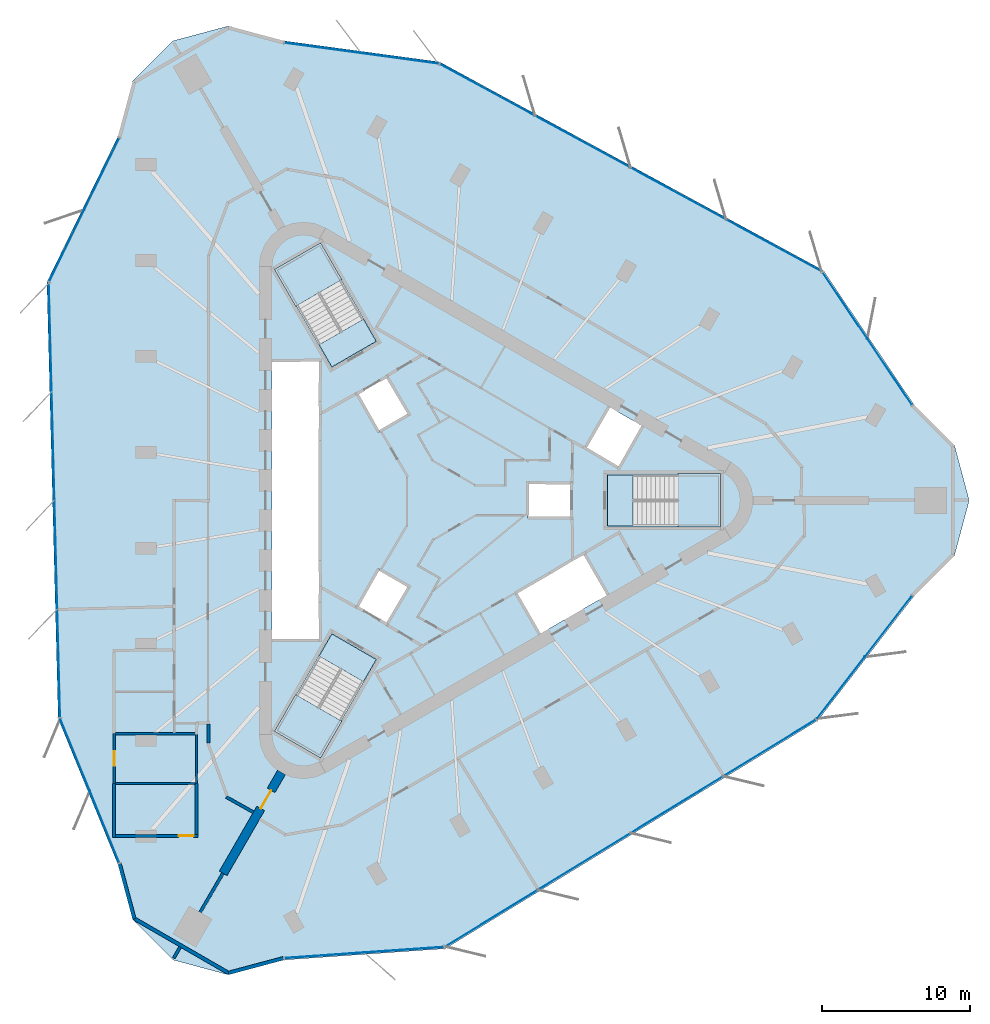
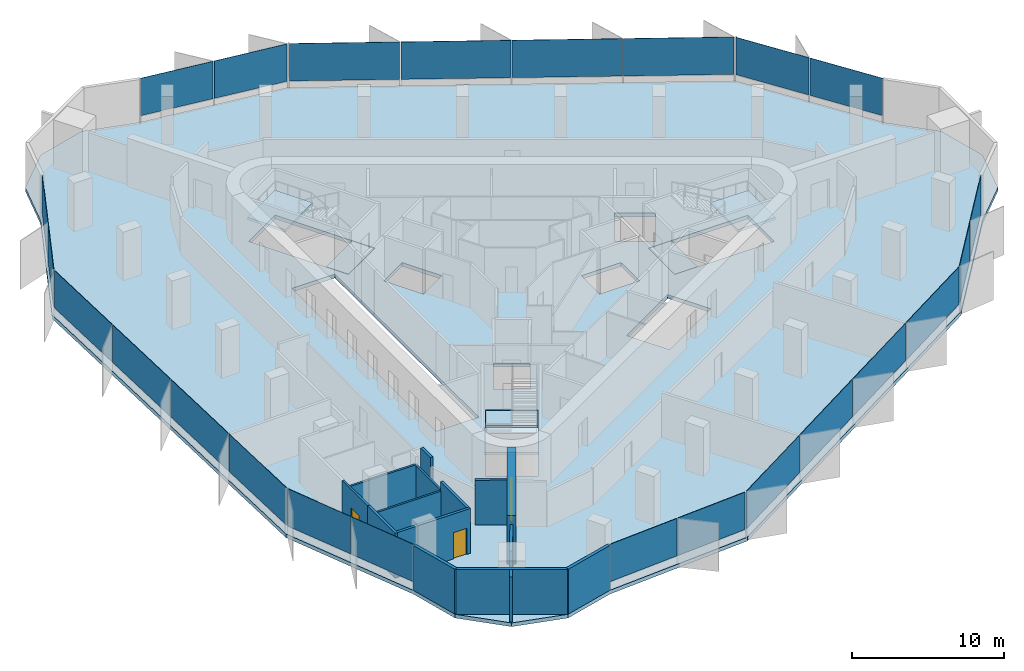
# One storey, part 6 of 12: 24 plates, 15 walls, 7 slabs, 3 doors, 3 openings, 12 elements without a shape of their own.
"""IFC4 building model written with IfcOpenShell, lengths in metres."""

from ifc_helpers import new_model, si_unit, direction, frame, frame_2d, origin, origin_2d, place, context, subcontext, project, spatial, polyline, rectangle, outline, extrude, material, layer, layer_set, type_object, element, fill, aggregate, save


model = new_model("IFC4")

# Units and contexts
model_context = context("Model", 3, precision=1e-05, world=origin(), true_north=direction((0.0, 1.0)))
body_context = subcontext(model_context, "Body", "Model", "MODEL_VIEW")
ifc_project = project(units=[si_unit("LENGTHUNIT", "METRE"), si_unit("AREAUNIT", "SQUARE_METRE"), si_unit("VOLUMEUNIT", "CUBIC_METRE"), si_unit("PLANEANGLEUNIT", "RADIAN"), si_unit("MASSUNIT", "GRAM", prefix="KILO")], contexts=[model_context])

# Site, building, storey
site_placement = place(None, origin())
site = spatial("IfcSite", under=ifc_project, at=site_placement, CompositionType="ELEMENT")
building_placement = place(site_placement, origin())
building = spatial("IfcBuilding", under=site, at=building_placement, Name="Tanit Gate Tower", CompositionType="ELEMENT")
storey_placement = place(building_placement, frame((0.0, 0.0, 349.39990234375)))
storey = spatial("IfcBuildingStorey", under=building, at=storey_placement, Name="L79", CompositionType="ELEMENT", Elevation=349.39990234375)

# Slab
ifc_material_1 = material(Name="Concrete C35/45", Category="concrete")
ifc_layer_1 = layer(ifc_material_1, 0.300048828125)
ifc_layer_set_1 = layer_set([ifc_layer_1], Name="FLOOR SLAB 300 C35/45")
slab_type_1 = type_object("IfcSlabType", Name="FLOOR SLAB 300 C35/45", PredefinedType="FLOOR", material=ifc_layer_set_1)
slab_1_placement = place(storey_placement, frame((0.0, 0.0, -0.2998046875)))
element("IfcSlab", 1, at=slab_1_placement, inside=storey, type_object=slab_type_1, Name="FLOOR SLAB L79", PredefinedType="FLOOR", context=body_context, shape_type="SweptSolid", body=[
    extrude(outline(polyline([(32.01708984375, 6.447021484375), (34.741943359375, 3.72216796875), (35.7392578125, 0.0), (34.741943359375, -3.72216796875), (32.01708984375, -6.447021484375), (25.5380859375, -14.828125), (0.45361328125, -30.19091796875), (-10.42529296875, -30.951171875), (-14.1474609375, -31.948486328125), (-17.86962890625, -30.951171875), (-20.594482421875, -28.226318359375), (-21.591796875, -24.50439453125), (-25.610595703125, -14.70263671875), (-26.373046875, 14.70263671875), (-21.591796875, 24.50439453125), (-20.594482421875, 28.226318359375), (-17.86962890625, 30.951171875), (-14.1474609375, 31.948486328125), (-10.42529296875, 30.951171875), (0.072509765625, 29.530517578125), (25.919189453125, 15.48828125), (32.01708984375, 6.447021484375)]), holes=[polyline([(11.3701171875, 1.72998046875), (18.929931640625, 1.72998046875), (18.929931640625, -1.72998046875), (11.3701171875, -1.72998046875), (11.3701171875, 1.72998046875)]), polyline([(12.158935546875, 2.159912109375), (9.82080078125, 3.510009765625), (11.44580078125, 6.324462890625), (13.783935546875, 4.974609375), (12.158935546875, 2.159912109375)]), polyline([(11.44580078125, -6.324462890625), (6.76904296875, -9.0244140625), (5.14404296875, -6.2099609375), (9.82080078125, -3.510009765625), (11.44580078125, -6.324462890625)]), polyline([(6.0, 1.199951171875), (9.0, 1.199951171875), (9.0, -1.199951171875), (6.0, -1.199951171875), (6.0, 1.199951171875)]), polyline([(-4.039306640625, 4.59619140625), (-5.539306640625, 7.194091796875), (-3.460693359375, 8.394287109375), (-1.960693359375, 5.796142578125), (-4.039306640625, 4.59619140625)]), polyline([(-1.960693359375, -5.796142578125), (-3.460693359375, -8.394287109375), (-5.539306640625, -7.194091796875), (-4.039306640625, -4.59619140625), (-1.960693359375, -5.796142578125)]), polyline([(-7.18310546875, 8.981689453125), (-10.963134765625, 15.52880859375), (-7.966796875, 17.2587890625), (-4.186767578125, 10.711669921875), (-7.18310546875, 8.981689453125)]), polyline([(-4.186767578125, -10.711669921875), (-7.966796875, -17.2587890625), (-10.963134765625, -15.52880859375), (-7.18310546875, -8.981689453125), (-4.186767578125, -10.711669921875)]), polyline([(-11.199951171875, -9.449951171875), (-11.199951171875, 9.449951171875), (-7.949951171875, 9.449951171875), (-7.949951171875, -9.449951171875), (-11.199951171875, -9.449951171875)])]), origin(), (0.0, 0.0, 1.0), 0.2998046875),
])

# Curtain wall, plates
ifc_material_2 = material(Name="Aluminium bronze anodised and glass", Category="aluminium")
curtain_wall_type = type_object("IfcCurtainWallType", Name="Curtain wall typical high", PredefinedType="NOTDEFINED", material=ifc_material_2)
curtain_wall_1_placement = place(storey_placement, origin())
curtain_wall_1 = element("IfcCurtainWall", 2, at=curtain_wall_1_placement, inside=storey, type_object=curtain_wall_type, Name="Curtain wall L79 NE1", PredefinedType="NOTDEFINED")
ifc_material_3 = material(Name="Glass tinted", Category="glass")
ifc_layer_2 = layer(ifc_material_3, 0.028076171875)
ifc_layer_set_2 = layer_set([ifc_layer_2], Name="Glass panel 28 typical high")
plate_type = type_object("IfcPlateType", Name="Glass panel 28 typical high", PredefinedType="CURTAIN_PANEL", material=ifc_layer_set_2)
plate_1_placement = place(storey_placement, frame((30.39111328125, 8.6435546875, 0.60009765625), z_axis=(0.0, 0.0, 1.0), x_axis=(-0.559147523084, 0.829068180206, 0.0)))
plate_1 = element("IfcPlate", 3, at=plate_1_placement, type_object=plate_type, Name="Glass panel L79 NE1.1", PredefinedType="CURTAIN_PANEL", context=body_context, shape_type="SweptSolid", body=[
    extrude(rectangle(XDim=5.323974609375, YDim=0.028076171875, at=origin_2d()), origin(), (0.0, 0.0, 1.0), 3.0),
])
plate_2_placement = place(storey_placement, frame((27.369384765625, 13.123779296875, 0.60009765625), z_axis=(0.0, 0.0, 1.0), x_axis=(-0.559147523084, 0.829068180206, 0.0)))
plate_2 = element("IfcPlate", 4, at=plate_2_placement, type_object=plate_type, Name="Glass panel L79 NE1.2", PredefinedType="CURTAIN_PANEL", context=body_context, shape_type="SweptSolid", body=[
    extrude(rectangle(XDim=5.323974609375, YDim=0.028076171875, at=origin_2d()), origin(), (0.0, 0.0, 1.0), 3.0),
])
aggregate(curtain_wall_1, [plate_1, plate_2])

curtain_wall_2_placement = place(storey_placement, origin())
curtain_wall_2 = element("IfcCurtainWall", 5, at=curtain_wall_2_placement, inside=storey, type_object=curtain_wall_type, Name="Curtain wall L79 NE2", PredefinedType="NOTDEFINED")
plate_3_placement = place(storey_placement, frame((22.584716796875, 17.16357421875, 0.60009765625), z_axis=(0.0, 0.0, 1.0), x_axis=(-0.87869633876, 0.477381131015, 0.0)))
plate_3 = element("IfcPlate", 6, at=plate_3_placement, type_object=plate_type, Name="Glass panel L79 NE2.1", PredefinedType="CURTAIN_PANEL", context=body_context, shape_type="SweptSolid", body=[
    extrude(rectangle(XDim=7.240966796875, YDim=0.028076171875, at=origin_2d()), origin(), (0.0, 0.0, 1.0), 3.0),
])
plate_4_placement = place(storey_placement, frame((16.15185546875, 20.658447265625, 0.60009765625), z_axis=(0.0, 0.0, 1.0), x_axis=(-0.87869633876, 0.477381131015, 0.0)))
plate_4 = element("IfcPlate", 7, at=plate_4_placement, type_object=plate_type, Name="Glass panel L79 NE2.2", PredefinedType="CURTAIN_PANEL", context=body_context, shape_type="SweptSolid", body=[
    extrude(rectangle(XDim=7.240966796875, YDim=0.028076171875, at=origin_2d()), origin(), (0.0, 0.0, 1.0), 3.0),
])
plate_5_placement = place(storey_placement, frame((9.718994140625, 24.1533203125, 0.60009765625), z_axis=(0.0, 0.0, 1.0), x_axis=(-0.87869633876, 0.477381131015, 0.0)))
plate_5 = element("IfcPlate", 8, at=plate_5_placement, type_object=plate_type, Name="Glass panel L79 NE2.3", PredefinedType="CURTAIN_PANEL", context=body_context, shape_type="SweptSolid", body=[
    extrude(rectangle(XDim=7.240966796875, YDim=0.028076171875, at=origin_2d()), origin(), (0.0, 0.0, 1.0), 3.0),
])
plate_6_placement = place(storey_placement, frame((3.2861328125, 27.648193359375, 0.60009765625), z_axis=(0.0, 0.0, 1.0), x_axis=(-0.87869633876, 0.477381131015, 0.0)))
plate_6 = element("IfcPlate", 9, at=plate_6_placement, type_object=plate_type, Name="Glass panel L79 NE2.4", PredefinedType="CURTAIN_PANEL", context=body_context, shape_type="SweptSolid", body=[
    extrude(rectangle(XDim=7.240966796875, YDim=0.028076171875, at=origin_2d()), origin(), (0.0, 0.0, 1.0), 3.0),
])
aggregate(curtain_wall_2, [plate_3, plate_4, plate_5, plate_6])

curtain_wall_3_placement = place(storey_placement, origin())
curtain_wall_3 = element("IfcCurtainWall", 10, at=curtain_wall_3_placement, inside=storey, type_object=curtain_wall_type, Name="Curtain wall L79 NE3", PredefinedType="NOTDEFINED")
plate_7_placement = place(storey_placement, frame((-2.606201171875, 29.77197265625, 0.60009765625), z_axis=(0.0, 0.0, 1.0), x_axis=(-0.990968554207, 0.134094461382, 0.0)))
plate_7 = element("IfcPlate", 11, at=plate_7_placement, type_object=plate_type, Name="Glass panel L79 NE3.1", PredefinedType="CURTAIN_PANEL", context=body_context, shape_type="SweptSolid", body=[
    extrude(rectangle(XDim=5.169677734375, YDim=0.028076171875, at=origin_2d()), origin(), (0.0, 0.0, 1.0), 3.0),
])
plate_8_placement = place(storey_placement, frame((-7.808349609375, 30.475830078125, 0.60009765625), z_axis=(0.0, 0.0, 1.0), x_axis=(-0.990968554207, 0.134094461382, 0.0)))
plate_8 = element("IfcPlate", 12, at=plate_8_placement, type_object=plate_type, Name="Glass panel L79 NE3.2", PredefinedType="CURTAIN_PANEL", context=body_context, shape_type="SweptSolid", body=[
    extrude(rectangle(XDim=5.169677734375, YDim=0.028076171875, at=origin_2d()), origin(), (0.0, 0.0, 1.0), 3.0),
])
aggregate(curtain_wall_3, [plate_7, plate_8])

curtain_wall_4_placement = place(storey_placement, origin())
curtain_wall_4 = element("IfcCurtainWall", 13, at=curtain_wall_4_placement, inside=storey, type_object=curtain_wall_type, Name="Curtain wall L79 W1", PredefinedType="NOTDEFINED")
plate_9_placement = place(storey_placement, frame((-22.680908203125, 21.99755859375, 0.60009765625), z_axis=(0.0, 0.0, 1.0), x_axis=(-0.438420343985, -0.898770049556, 0.0)))
plate_9 = element("IfcPlate", 14, at=plate_9_placement, type_object=plate_type, Name="Glass panel L79 W1.1", PredefinedType="CURTAIN_PANEL", context=body_context, shape_type="SweptSolid", body=[
    extrude(rectangle(XDim=5.323974609375, YDim=0.028076171875, at=origin_2d()), origin(), (0.0, 0.0, 1.0), 3.0),
])
plate_10_placement = place(storey_placement, frame((-25.05029296875, 17.140869140625, 0.60009765625), z_axis=(0.0, 0.0, 1.0), x_axis=(-0.438420343985, -0.898770049556, 0.0)))
plate_10 = element("IfcPlate", 15, at=plate_10_placement, type_object=plate_type, Name="Glass panel L79 W1.2", PredefinedType="CURTAIN_PANEL", context=body_context, shape_type="SweptSolid", body=[
    extrude(rectangle(XDim=5.323974609375, YDim=0.028076171875, at=origin_2d()), origin(), (0.0, 0.0, 1.0), 3.0),
])
aggregate(curtain_wall_4, [plate_9, plate_10])

curtain_wall_5_placement = place(storey_placement, origin())
curtain_wall_5 = element("IfcCurtainWall", 16, at=curtain_wall_5_placement, inside=storey, type_object=curtain_wall_type, Name="Curtain wall L79 W2", PredefinedType="NOTDEFINED")
plate_11_placement = place(storey_placement, frame((-26.156494140625, 10.97705078125, 0.60009765625), z_axis=(0.0, 0.0, 1.0), x_axis=(0.025923982634, -0.999663917086, 0.0)))
plate_11 = element("IfcPlate", 17, at=plate_11_placement, type_object=plate_type, Name="Glass panel L79 W2.1", PredefinedType="CURTAIN_PANEL", context=body_context, shape_type="SweptSolid", body=[
    extrude(rectangle(XDim=7.240966796875, YDim=0.028076171875, at=origin_2d()), origin(), (0.0, 0.0, 1.0), 3.0),
])
plate_12_placement = place(storey_placement, frame((-25.966552734375, 3.65869140625, 0.60009765625), z_axis=(0.0, 0.0, 1.0), x_axis=(0.025923982634, -0.999663917086, 0.0)))
plate_12 = element("IfcPlate", 18, at=plate_12_placement, type_object=plate_type, Name="Glass panel L79 W2.2", PredefinedType="CURTAIN_PANEL", context=body_context, shape_type="SweptSolid", body=[
    extrude(rectangle(XDim=7.240966796875, YDim=0.028076171875, at=origin_2d()), origin(), (0.0, 0.0, 1.0), 3.0),
])
plate_13_placement = place(storey_placement, frame((-25.77685546875, -3.65966796875, 0.60009765625), z_axis=(0.0, 0.0, 1.0), x_axis=(0.025923982634, -0.999663917086, 0.0)))
plate_13 = element("IfcPlate", 19, at=plate_13_placement, type_object=plate_type, Name="Glass panel L79 W2.3", PredefinedType="CURTAIN_PANEL", context=body_context, shape_type="SweptSolid", body=[
    extrude(rectangle(XDim=7.240966796875, YDim=0.028076171875, at=origin_2d()), origin(), (0.0, 0.0, 1.0), 3.0),
])
plate_14_placement = place(storey_placement, frame((-25.5869140625, -10.978271484375, 0.60009765625), z_axis=(0.0, 0.0, 1.0), x_axis=(0.025923982634, -0.999663917086, 0.0)))
plate_14 = element("IfcPlate", 20, at=plate_14_placement, type_object=plate_type, Name="Glass panel L79 W2.4", PredefinedType="CURTAIN_PANEL", context=body_context, shape_type="SweptSolid", body=[
    extrude(rectangle(XDim=7.240966796875, YDim=0.028076171875, at=origin_2d()), origin(), (0.0, 0.0, 1.0), 3.0),
])
aggregate(curtain_wall_5, [plate_11, plate_12, plate_13, plate_14])

curtain_wall_6_placement = place(storey_placement, origin())
curtain_wall_6 = element("IfcCurtainWall", 21, at=curtain_wall_6_placement, inside=storey, type_object=curtain_wall_type, Name="Curtain wall L79 W3", PredefinedType="NOTDEFINED")
plate_15_placement = place(storey_placement, frame((-24.480224609375, -17.14306640625, 0.60009765625), z_axis=(0.0, 0.0, 1.0), x_axis=(0.37935506704, -0.925251172986, 0.0)))
plate_15 = element("IfcPlate", 22, at=plate_15_placement, type_object=plate_type, Name="Glass panel L79 W3.1", PredefinedType="CURTAIN_PANEL", context=body_context, shape_type="SweptSolid", body=[
    extrude(rectangle(XDim=5.169677734375, YDim=0.028076171875, at=origin_2d()), origin(), (0.0, 0.0, 1.0), 3.0),
])
plate_16_placement = place(storey_placement, frame((-22.48876953125, -22.000244140625, 0.60009765625), z_axis=(0.0, 0.0, 1.0), x_axis=(0.37935506704, -0.925251172986, 0.0)))
plate_16 = element("IfcPlate", 23, at=plate_16_placement, type_object=plate_type, Name="Glass panel L79 W3.2", PredefinedType="CURTAIN_PANEL", context=body_context, shape_type="SweptSolid", body=[
    extrude(rectangle(XDim=5.169677734375, YDim=0.028076171875, at=origin_2d()), origin(), (0.0, 0.0, 1.0), 3.0),
])
aggregate(curtain_wall_6, [plate_15, plate_16])

curtain_wall_7_placement = place(storey_placement, origin())
curtain_wall_7 = element("IfcCurtainWall", 24, at=curtain_wall_7_placement, inside=storey, type_object=curtain_wall_type, Name="Curtain wall L79 SE1", PredefinedType="NOTDEFINED")
plate_17_placement = place(storey_placement, frame((-7.7099609375, -30.64111328125, 0.60009765625), z_axis=(0.0, 0.0, 1.0), x_axis=(0.997567867069, 0.069701869351, 0.0)))
plate_17 = element("IfcPlate", 25, at=plate_17_placement, type_object=plate_type, Name="Glass panel L79 SE1.1", PredefinedType="CURTAIN_PANEL", context=body_context, shape_type="SweptSolid", body=[
    extrude(rectangle(XDim=5.323974609375, YDim=0.028076171875, at=origin_2d()), origin(), (0.0, 0.0, 1.0), 3.0),
])
plate_18_placement = place(storey_placement, frame((-2.3193359375, -30.264404296875, 0.60009765625), z_axis=(0.0, 0.0, 1.0), x_axis=(0.997567867069, 0.069701869351, 0.0)))
plate_18 = element("IfcPlate", 26, at=plate_18_placement, type_object=plate_type, Name="Glass panel L79 SE1.2", PredefinedType="CURTAIN_PANEL", context=body_context, shape_type="SweptSolid", body=[
    extrude(rectangle(XDim=5.323974609375, YDim=0.028076171875, at=origin_2d()), origin(), (0.0, 0.0, 1.0), 3.0),
])
aggregate(curtain_wall_7, [plate_17, plate_18])

curtain_wall_8_placement = place(storey_placement, origin())
curtain_wall_8 = element("IfcCurtainWall", 27, at=curtain_wall_8_placement, inside=storey, type_object=curtain_wall_type, Name="Curtain wall L79 SE2", PredefinedType="NOTDEFINED")
plate_19_placement = place(storey_placement, frame((3.57177734375, -28.140625, 0.60009765625), z_axis=(0.0, 0.0, 1.0), x_axis=(0.852772356127, 0.522282786071, 0.0)))
plate_19 = element("IfcPlate", 28, at=plate_19_placement, type_object=plate_type, Name="Glass panel L79 SE2.1", PredefinedType="CURTAIN_PANEL", context=body_context, shape_type="SweptSolid", body=[
    extrude(rectangle(XDim=7.240966796875, YDim=0.028076171875, at=origin_2d()), origin(), (0.0, 0.0, 1.0), 3.0),
])
plate_20_placement = place(storey_placement, frame((9.814697265625, -24.317138671875, 0.60009765625), z_axis=(0.0, 0.0, 1.0), x_axis=(0.852772356127, 0.522282786071, 0.0)))
plate_20 = element("IfcPlate", 29, at=plate_20_placement, type_object=plate_type, Name="Glass panel L79 SE2.2", PredefinedType="CURTAIN_PANEL", context=body_context, shape_type="SweptSolid", body=[
    extrude(rectangle(XDim=7.240966796875, YDim=0.028076171875, at=origin_2d()), origin(), (0.0, 0.0, 1.0), 3.0),
])
plate_21_placement = place(storey_placement, frame((16.057861328125, -20.493408203125, 0.60009765625), z_axis=(0.0, 0.0, 1.0), x_axis=(0.852772356127, 0.522282786071, 0.0)))
plate_21 = element("IfcPlate", 30, at=plate_21_placement, type_object=plate_type, Name="Glass panel L79 SE2.3", PredefinedType="CURTAIN_PANEL", context=body_context, shape_type="SweptSolid", body=[
    extrude(rectangle(XDim=7.240966796875, YDim=0.028076171875, at=origin_2d()), origin(), (0.0, 0.0, 1.0), 3.0),
])
plate_22_placement = place(storey_placement, frame((22.301025390625, -16.669921875, 0.60009765625), z_axis=(0.0, 0.0, 1.0), x_axis=(0.852772356127, 0.522282786071, 0.0)))
plate_22 = element("IfcPlate", 31, at=plate_22_placement, type_object=plate_type, Name="Glass panel L79 SE2.4", PredefinedType="CURTAIN_PANEL", context=body_context, shape_type="SweptSolid", body=[
    extrude(rectangle(XDim=7.240966796875, YDim=0.028076171875, at=origin_2d()), origin(), (0.0, 0.0, 1.0), 3.0),
])
aggregate(curtain_wall_8, [plate_19, plate_20, plate_21, plate_22])

curtain_wall_9_placement = place(storey_placement, origin())
curtain_wall_9 = element("IfcCurtainWall", 32, at=curtain_wall_9_placement, inside=storey, type_object=curtain_wall_type, Name="Curtain wall L79 SE3", PredefinedType="NOTDEFINED")
plate_23_placement = place(storey_placement, frame((27.08642578125, -12.62890625, 0.60009765625), z_axis=(0.0, 0.0, 1.0), x_axis=(0.611613487167, 0.791156711604, 0.0)))
plate_23 = element("IfcPlate", 33, at=plate_23_placement, type_object=plate_type, Name="Glass panel L79 SE3.1", PredefinedType="CURTAIN_PANEL", context=body_context, shape_type="SweptSolid", body=[
    extrude(rectangle(XDim=5.169677734375, YDim=0.028076171875, at=origin_2d()), origin(), (0.0, 0.0, 1.0), 3.0),
])
plate_24_placement = place(storey_placement, frame((30.297119140625, -8.4755859375, 0.60009765625), z_axis=(0.0, 0.0, 1.0), x_axis=(0.611613487167, 0.791156711604, 0.0)))
plate_24 = element("IfcPlate", 34, at=plate_24_placement, type_object=plate_type, Name="Glass panel L79 SE3.2", PredefinedType="CURTAIN_PANEL", context=body_context, shape_type="SweptSolid", body=[
    extrude(rectangle(XDim=5.169677734375, YDim=0.028076171875, at=origin_2d()), origin(), (0.0, 0.0, 1.0), 3.0),
])
aggregate(curtain_wall_9, [plate_23, plate_24])

# Stair, slab
ifc_material_4 = material(Name="Concrete C40/50", Category="concrete")
stair_type = type_object("IfcStairType", Name="INT-STAIR-EXIT", PredefinedType="HALF_TURN_STAIR", material=ifc_material_4)
stair_1_placement = place(storey_placement, origin())
stair_1 = element("IfcStair", 35, at=stair_1_placement, inside=storey, type_object=stair_type, Name="L79 STAIR S1", PredefinedType="HALF_TURN_STAIR")
ifc_material_5 = material(Name="Concrete C40/50", Category="concrete")
ifc_layer_3 = layer(ifc_material_5, 0.199951171875)
ifc_layer_set_3 = layer_set([ifc_layer_3], Name="INT-STAIR-LANDING")
slab_type_2 = type_object("IfcSlabType", Name="INT-STAIR-LANDING", PredefinedType="LANDING", material=ifc_layer_set_3)
slab_2_placement = place(storey_placement, frame((0.0, 0.0, 1.75)))
slab_2 = element("IfcSlab", 36, at=slab_2_placement, type_object=slab_type_2, Name="S1 landing 1", PredefinedType="LANDING", context=body_context, shape_type="SweptSolid", body=[
    extrude(outline(polyline([(16.135986328125, -1.800048828125), (19.0, -1.800048828125), (19.0, 1.800048828125), (16.135986328125, 1.800048828125), (16.135986328125, -1.800048828125)])), origin(), (0.0, 0.0, 1.0), 0.2001953125),
])
aggregate(stair_1, [slab_2])

# Slab
slab_3_placement = place(storey_placement, frame((0.0, 0.0, -0.199951171875)))
element("IfcSlab", 37, at=slab_3_placement, inside=storey, type_object=slab_type_2, Name="S1 floor landing", PredefinedType="LANDING", context=body_context, shape_type="SweptSolid", body=[
    extrude(outline(polyline([(11.3798828125, -1.719970703125), (13.10498046875, -1.719970703125), (13.10498046875, 1.719970703125), (11.3798828125, 1.719970703125), (11.3798828125, -1.719970703125)])), origin(), (0.0, 0.0, 1.0), 0.199951171875),
])

# Stair, slab
stair_2_placement = place(storey_placement, origin())
stair_2 = element("IfcStair", 38, at=stair_2_placement, inside=storey, type_object=stair_type, Name="L79 STAIR S2", PredefinedType="HALF_TURN_STAIR")
slab_4_placement = place(storey_placement, frame((0.0, 0.0, 1.75)))
slab_4 = element("IfcSlab", 39, at=slab_4_placement, type_object=slab_type_2, Name="S2 landing 1", PredefinedType="LANDING", context=body_context, shape_type="SweptSolid", body=[
    extrude(outline(polyline([(-6.5078125, 14.871826171875), (-7.941162109375, 17.3544921875), (-11.058837890625, 15.554443359375), (-9.62548828125, 13.07177734375), (-6.5078125, 14.871826171875)])), origin(), (0.0, 0.0, 1.0), 0.2001953125),
])
aggregate(stair_2, [slab_4])

# Slab
slab_5_placement = place(storey_placement, frame((0.0, 0.0, -0.199951171875)))
element("IfcSlab", 40, at=slab_5_placement, inside=storey, type_object=slab_type_2, Name="S2 floor landing", PredefinedType="LANDING", context=body_context, shape_type="SweptSolid", body=[
    extrude(outline(polyline([(-4.200439453125, 10.71533203125), (-5.0625, 12.20849609375), (-8.04150390625, 10.48828125), (-7.179443359375, 8.995361328125), (-4.200439453125, 10.71533203125)])), origin(), (0.0, 0.0, 1.0), 0.199951171875),
])

# Stair, slab
stair_3_placement = place(storey_placement, origin())
stair_3 = element("IfcStair", 41, at=stair_3_placement, inside=storey, type_object=stair_type, Name="L79 STAIR S3", PredefinedType="HALF_TURN_STAIR")
slab_6_placement = place(storey_placement, frame((0.0, 0.0, 1.75)))
slab_6 = element("IfcSlab", 42, at=slab_6_placement, type_object=slab_type_2, Name="S3 landing 1", PredefinedType="LANDING", context=body_context, shape_type="SweptSolid", body=[
    extrude(outline(polyline([(-9.626953125, -13.07421875), (-11.058837890625, -15.554443359375), (-7.941162109375, -17.3544921875), (-6.509033203125, -14.874267578125), (-9.626953125, -13.07421875)])), origin(), (0.0, 0.0, 1.0), 0.2001953125),
])
aggregate(stair_3, [slab_6])

# Slab
slab_7_placement = place(storey_placement, frame((0.0, 0.0, -0.199951171875)))
element("IfcSlab", 43, at=slab_7_placement, inside=storey, type_object=slab_type_2, Name="S3 floor landing", PredefinedType="LANDING", context=body_context, shape_type="SweptSolid", body=[
    extrude(outline(polyline([(-7.179443359375, -8.995361328125), (-8.0419921875, -10.4892578125), (-5.06298828125, -12.209228515625), (-4.200439453125, -10.71533203125), (-7.179443359375, -8.995361328125)])), origin(), (0.0, 0.0, 1.0), 0.199951171875),
])

# Wall, opening, door
ifc_material_6 = material(Name="Concrete C40/50", Category="concrete")
ifc_layer_4 = layer(ifc_material_6, 0.60009765625)
ifc_layer_set_4 = layer_set([ifc_layer_4], Name="BUTTRESS FIN 600 C40/50")
wall_type_1 = type_object("IfcWallType", Name="BUTTRESS FIN 600 C40/50", PredefinedType="SHEAR", material=ifc_layer_set_4)
wall_1_placement = place(storey_placement, frame((-10.574951171875, -18.31640625, 0.0), z_axis=(0.0, 0.0, 1.0), x_axis=(-0.500010354293, -0.866019425648, 0.0)))
wall_1 = element("IfcWall", 44, at=wall_1_placement, inside=storey, type_object=wall_type_1, Name="BUTTRESS FIN", PredefinedType="SHEAR", context=body_context, shape_type="SweptSolid", body=[
    extrude(rectangle(XDim=7.854248046875, YDim=0.60009765625, at=frame_2d((3.92724609375, 0.0))), origin(), (0.0, 0.0, 1.0), 3.900146484375),
])
opening_1_placement = place(wall_1_placement, frame((1.39990234375, 0.0, 0.0)))
opening_1 = element("IfcOpeningElement", 45, at=opening_1_placement, cuts=wall_1, Name="Opening P14-S22-F-SW-1", PredefinedType="OPENING", context=body_context, shape_type="SweptSolid", body=[
    extrude(rectangle(XDim=1.39990234375, YDim=2.39990234375, at=frame_2d((0.699951171875, 1.199951171875))), frame((0.0, 0.31005859375, 0.0), z_axis=(0.0, -1.0, 0.0), x_axis=(1.0, 0.0, 0.0)), (0.0, 0.0, 1.0), 0.6201171875),
])
ifc_material_7 = material(Name="Timber door leaf", Category="wood")
door_type_1 = type_object("IfcDoorType", Name="INT-DOOR-FIN-PAIR-1400", OperationType="NOTDEFINED", PredefinedType="NOTDEFINED", material=ifc_material_7)
door_1_placement = place(opening_1_placement, origin())
door_1 = element("IfcDoor", 46, at=door_1_placement, inside=storey, type_object=door_type_1, Name="Door P14-S22-F-SW-1", OperationType="DOUBLE_DOOR_SINGLE_SWING", OverallHeight=2.39990234375, OverallWidth=1.39990234375, PredefinedType="NOTDEFINED", context=body_context, shape_type="SweptSolid", body=[
    extrude(rectangle(XDim=1.39990234375, YDim=2.39990234375, at=frame_2d((0.699951171875, 1.199951171875))), frame((0.0, 0.02490234375, 0.0), z_axis=(0.0, -1.0, 0.0), x_axis=(1.0, 0.0, 0.0)), (0.0, 0.0, 1.0), 0.050048828125),
])
fill(opening_1, door_1)

# Walls
ifc_material_8 = material(Name="Concrete C30/37 with bronze anodised aluminium cladding", Category="concrete")
ifc_layer_5 = layer(ifc_material_8, 0.239990234375)
ifc_layer_set_5 = layer_set([ifc_layer_5], Name="Facade wall bronze clad 240")
wall_type_2 = type_object("IfcWallType", Name="Facade wall bronze clad 240", PredefinedType="SOLIDWALL", material=ifc_layer_set_5)
wall_2_placement = place(storey_placement, frame((-21.477783203125, -24.4658203125, 0.0), z_axis=(0.0, 0.0, 1.0), x_axis=(0.258809388801, -0.965928413636, 0.0)))
element("IfcWall", 47, at=wall_2_placement, inside=storey, type_object=wall_type_2, Name="Bronze-clad facade wall L79 SW.arc1", PredefinedType="SOLIDWALL", context=body_context, shape_type="SweptSolid", body=[
    extrude(rectangle(XDim=3.828857421875, YDim=0.239990234375, at=frame_2d((1.91455078125, 0.0))), origin(), (0.0, 0.0, 1.0), 3.60009765625),
])
wall_3_placement = place(storey_placement, frame((-20.48681640625, -28.164306640625, 0.0), z_axis=(0.0, 0.0, 1.0), x_axis=(0.86603229387, -0.499988065832, 0.0)))
element("IfcWall", 48, at=wall_3_placement, inside=storey, type_object=wall_type_2, Name="Bronze-clad facade wall L79 SW.arc2", PredefinedType="SOLIDWALL", context=body_context, shape_type="SweptSolid", body=[
    extrude(rectangle(XDim=7.320068359375, YDim=0.239990234375, at=frame_2d((3.66015625, 0.0))), origin(), (0.0, 0.0, 1.0), 3.60009765625),
])
wall_4_placement = place(storey_placement, frame((-14.1474609375, -31.82421875, 0.0), z_axis=(0.0, 0.0, 1.0), x_axis=(0.965928717423, 0.258808255004, 0.0)))
element("IfcWall", 49, at=wall_4_placement, inside=storey, type_object=wall_type_2, Name="Bronze-clad facade wall L79 SW.arc3", PredefinedType="SOLIDWALL", context=body_context, shape_type="SweptSolid", body=[
    extrude(rectangle(XDim=3.832763671875, YDim=0.239990234375, at=frame_2d((1.91650390625, 0.0))), origin(), (0.0, 0.0, 1.0), 3.60009765625),
])
ifc_material_9 = material(Name="Fire-rated gypsum board partition")
ifc_layer_6 = layer(ifc_material_9, 0.199951171875)
ifc_layer_set_6 = layer_set([ifc_layer_6], Name="INT-WALL-COMPARTMENT")
wall_type_3 = type_object("IfcWallType", Name="INT-WALL-COMPARTMENT", PredefinedType="PARTITIONING", material=ifc_layer_set_6)
wall_5_placement = place(storey_placement, frame((-14.293212890625, -19.9775390625, 0.0), z_axis=(0.0, 0.0, 1.0), x_axis=(0.872510000486, -0.48859625362, 0.0)))
element("IfcWall", 50, at=wall_5_placement, inside=storey, type_object=wall_type_3, Name="Wall Compartment W099", PredefinedType="PARTITIONING", context=body_context, shape_type="SweptSolid", body=[
    extrude(rectangle(XDim=2.089599609375, YDim=0.199951171875, at=frame_2d((1.044921875, 0.0))), origin(), (0.0, 0.0, 1.0), 3.60009765625),
])
wall_6_placement = place(storey_placement, frame((-15.5, -15.070068359375, 0.0), z_axis=(0.0, 0.0, 1.0), x_axis=(0.0, -1.0, 0.0)))
element("IfcWall", 51, at=wall_6_placement, inside=storey, type_object=wall_type_3, Name="Wall Compartment W101", PredefinedType="PARTITIONING", context=body_context, shape_type="SweptSolid", body=[
    extrude(rectangle(XDim=1.2705078125, YDim=0.199951171875, at=frame_2d((0.63525390625, 0.0))), origin(), (0.0, 0.0, 1.0), 3.60009765625),
])
wall_7_placement = place(storey_placement, frame((-17.403076171875, -30.083251953125, 0.0), z_axis=(0.0, 0.0, 1.0), x_axis=(-0.500234662275, -0.86588987906, 0.0)))
element("IfcWall", 52, at=wall_7_placement, inside=storey, type_object=wall_type_3, Name="Wall Compartment W118", PredefinedType="PARTITIONING", context=body_context, shape_type="SweptSolid", body=[
    extrude(rectangle(XDim=0.8525390625, YDim=0.199951171875, at=frame_2d((0.42626953125, 0.0))), origin(), (0.0, 0.0, 1.0), 3.60009765625),
])
wall_8_placement = place(storey_placement, frame((-14.517578125, -25.109619140625, 0.0), z_axis=(0.0, 0.0, 1.0), x_axis=(-0.503475856709, -0.864009294922, 0.0)))
element("IfcWall", 53, at=wall_8_placement, inside=storey, type_object=wall_type_3, Name="Wall Compartment W119", PredefinedType="PARTITIONING", context=body_context, shape_type="SweptSolid", body=[
    extrude(rectangle(XDim=3.03515625, YDim=0.199951171875, at=frame_2d((1.517578125, 0.0))), origin(), (0.0, 0.0, 1.0), 3.170166015625),
])
wall_9_placement = place(storey_placement, frame((-21.840087890625, -22.68994140625, 0.0), z_axis=(0.0, 0.0, 1.0), x_axis=(0.0, 1.0, 0.0)))
element("IfcWall", 54, at=wall_9_placement, inside=storey, type_object=wall_type_3, Name="Wall Compartment W126", PredefinedType="PARTITIONING", context=body_context, shape_type="SweptSolid", body=[
    extrude(rectangle(XDim=3.637939453125, YDim=0.199951171875, at=frame_2d((1.81884765625, 0.0))), origin(), (0.0, 0.0, 1.0), 3.60009765625),
])

# Wall, opening, door
wall_10_placement = place(storey_placement, frame((-21.739990234375, -22.590087890625, 0.0), z_axis=(0.0, 0.0, 1.0), x_axis=(1.0, 0.0, 0.0)))
wall_10 = element("IfcWall", 55, at=wall_10_placement, inside=storey, type_object=wall_type_3, Name="Wall Compartment W127", PredefinedType="PARTITIONING", context=body_context, shape_type="SweptSolid", body=[
    extrude(rectangle(XDim=5.5400390625, YDim=0.199951171875, at=frame_2d((2.77001953125, 0.0))), origin(), (0.0, 0.0, 1.0), 3.60009765625),
])
opening_2_placement = place(wall_10_placement, frame((4.239990234375, 0.0, 0.0)))
opening_2 = element("IfcOpeningElement", 56, at=opening_2_placement, cuts=wall_10, Name="Opening F10-S22-25", PredefinedType="OPENING", context=body_context, shape_type="SweptSolid", body=[
    extrude(rectangle(XDim=1.0, YDim=2.10009765625, at=frame_2d((0.5, 1.050048828125))), frame((0.0, 0.10986328125, 0.0), z_axis=(0.0, -1.0, 0.0), x_axis=(1.0, 0.0, 0.0)), (0.0, 0.0, 1.0), 0.219970703125),
])
ifc_material_10 = material(Name="Fire-rated steel door leaf", Category="steel")
door_type_2 = type_object("IfcDoorType", Name="INT-DOOR-FIRE-1000", OperationType="NOTDEFINED", PredefinedType="USERDEFINED", material=ifc_material_10)
door_2_placement = place(opening_2_placement, origin())
door_2 = element("IfcDoor", 57, at=door_2_placement, inside=storey, type_object=door_type_2, Name="Door F10-S22-25", ObjectType="FIRE DOOR", OperationType="SINGLE_SWING_LEFT", OverallHeight=2.10009765625, OverallWidth=1.0, PredefinedType="USERDEFINED", context=body_context, shape_type="SweptSolid", body=[
    extrude(rectangle(XDim=1.0, YDim=2.10009765625, at=frame_2d((0.5, 1.050048828125))), frame((0.0, 0.02490234375, 0.0), z_axis=(0.0, -1.0, 0.0), x_axis=(1.0, 0.0, 0.0)), (0.0, 0.0, 1.0), 0.050048828125),
])
fill(opening_2, door_2)

# Wall
wall_11_placement = place(storey_placement, frame((-16.300048828125, -22.489990234375, 0.0), z_axis=(0.0, 0.0, 1.0), x_axis=(0.0, 1.0, 0.0)))
element("IfcWall", 58, at=wall_11_placement, inside=storey, type_object=wall_type_3, Name="Wall Compartment W128", PredefinedType="PARTITIONING", context=body_context, shape_type="SweptSolid", body=[
    extrude(rectangle(XDim=3.43798828125, YDim=0.199951171875, at=frame_2d((1.718994140625, 0.0))), origin(), (0.0, 0.0, 1.0), 3.60009765625),
])

# Wall, opening, door
ifc_material_11 = material(Name="Fire-rated gypsum board partition")
ifc_layer_7 = layer(ifc_material_11, 0.14990234375)
ifc_layer_set_7 = layer_set([ifc_layer_7], Name="INT-WALL-RISER")
wall_type_4 = type_object("IfcWallType", Name="INT-WALL-RISER", PredefinedType="PLUMBINGWALL", material=ifc_layer_set_7)
wall_12_placement = place(storey_placement, frame((-21.840087890625, -19.052001953125, 0.0), z_axis=(0.0, 0.0, 1.0), x_axis=(0.0, 1.0, 0.0)))
wall_12 = element("IfcWall", 59, at=wall_12_placement, inside=storey, type_object=wall_type_4, Name="Wall Riser W124", PredefinedType="PLUMBINGWALL", context=body_context, shape_type="SweptSolid", body=[
    extrude(rectangle(XDim=3.34765625, YDim=0.14990234375, at=frame_2d((1.673828125, 0.0))), origin(), (0.0, 0.0, 1.0), 3.60009765625),
])
opening_3_placement = place(wall_12_placement, frame((1.170166015625, 0.0, 0.0)))
opening_3 = element("IfcOpeningElement", 60, at=opening_3_placement, cuts=wall_12, Name="Opening F10-S22-24", PredefinedType="OPENING", context=body_context, shape_type="SweptSolid", body=[
    extrude(rectangle(XDim=1.0, YDim=2.10009765625, at=frame_2d((0.5, 1.050048828125))), frame((0.0, 0.0849609375, 0.0), z_axis=(0.0, -1.0, 0.0), x_axis=(1.0, 0.0, 0.0)), (0.0, 0.0, 1.0), 0.169921875),
])
door_3_placement = place(opening_3_placement, origin())
door_3 = element("IfcDoor", 61, at=door_3_placement, inside=storey, type_object=door_type_2, Name="Door F10-S22-24", ObjectType="FIRE DOOR", OperationType="SINGLE_SWING_RIGHT", OverallHeight=2.10009765625, OverallWidth=1.0, PredefinedType="USERDEFINED", context=body_context, shape_type="SweptSolid", body=[
    extrude(rectangle(XDim=1.0, YDim=2.10009765625, at=frame_2d((0.5, 1.050048828125))), frame((0.0, 0.02490234375, 0.0), z_axis=(0.0, -1.0, 0.0), x_axis=(1.0, 0.0, 0.0)), (0.0, 0.0, 1.0), 0.050048828125),
])
fill(opening_3, door_3)

# Walls
wall_13_placement = place(storey_placement, frame((-16.300048828125, -19.052001953125, 0.0), z_axis=(0.0, 0.0, 1.0), x_axis=(0.0, 1.0, 0.0)))
element("IfcWall", 62, at=wall_13_placement, inside=storey, type_object=wall_type_4, Name="Wall Riser W125", PredefinedType="PLUMBINGWALL", context=body_context, shape_type="SweptSolid", body=[
    extrude(rectangle(XDim=3.415283203125, YDim=0.14990234375, at=frame_2d((1.70751953125, 0.0))), origin(), (0.0, 0.0, 1.0), 2.880126953125),
])
wall_14_placement = place(storey_placement, frame((-16.375, -15.711669921875, 0.0), z_axis=(0.0, 0.0, 1.0), x_axis=(-1.0, 0.0, 0.0)))
element("IfcWall", 63, at=wall_14_placement, inside=storey, type_object=wall_type_4, Name="Wall Riser W136", PredefinedType="PLUMBINGWALL", context=body_context, shape_type="SweptSolid", body=[
    extrude(rectangle(XDim=5.364990234375, YDim=0.14990234375, at=frame_2d((2.6826171875, 0.0))), origin(), (0.0, 0.0, 1.0), 2.97021484375),
])
wall_15_placement = place(storey_placement, frame((-16.375, -19.0595703125, 0.0), z_axis=(0.0, 0.0, 1.0), x_axis=(-1.0, 0.0, 0.0)))
element("IfcWall", 64, at=wall_15_placement, inside=storey, type_object=wall_type_4, Name="Wall Riser W137", PredefinedType="PLUMBINGWALL", context=body_context, shape_type="SweptSolid", body=[
    extrude(rectangle(XDim=5.389892578125, YDim=0.14990234375, at=frame_2d((2.69482421875, 0.0))), origin(), (0.0, 0.0, 1.0), 2.880126953125),
])

save(model, "model.ifc")
